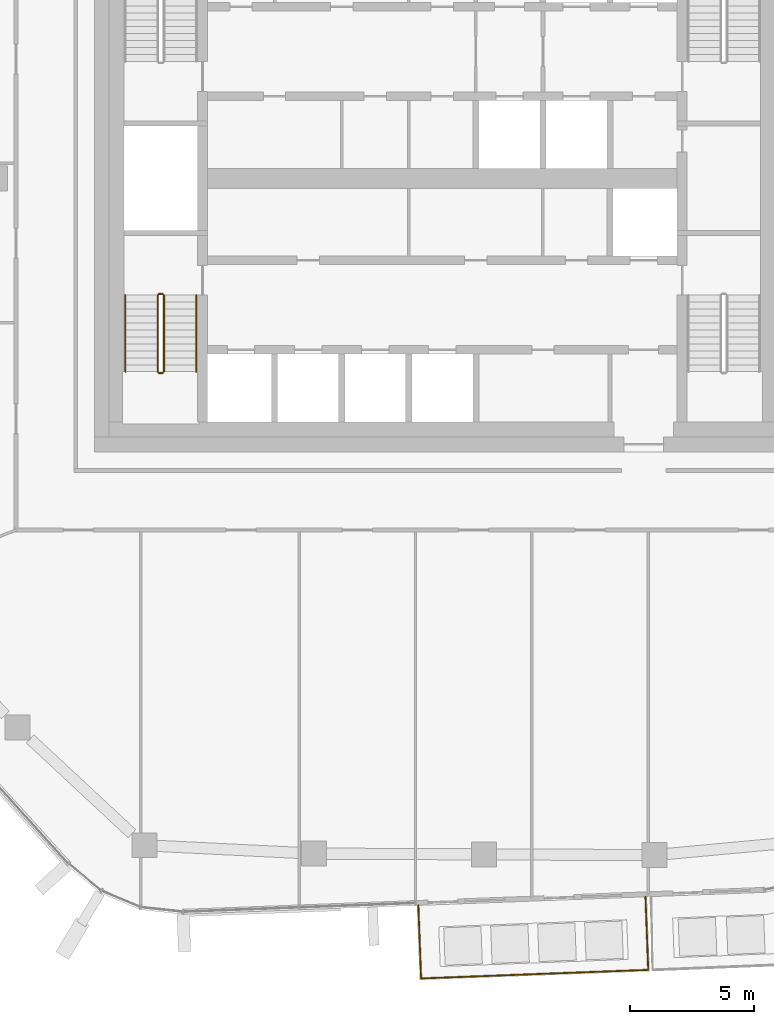
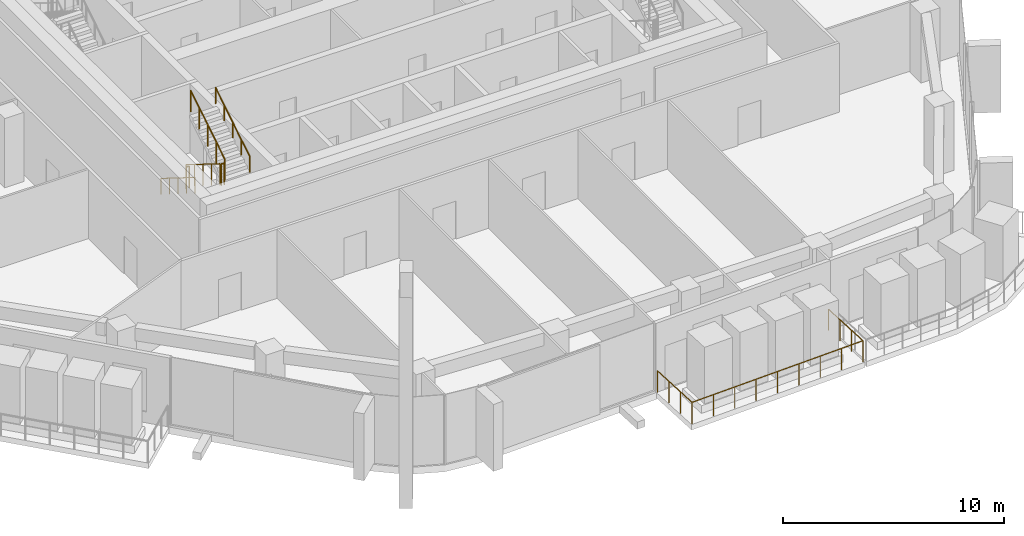
# One storey, part 19 of 24: 7 railings.
"""IFC4 building model written with IfcOpenShell, lengths in metres."""

from ifc_helpers import new_model, si_unit, direction, frame, origin, origin_2d, place, context, subcontext, project, spatial, circle, extrude, material, type_object, element, save


model = new_model("IFC4")

# Units and contexts
model_context = context("Model", 3, precision=1e-05, world=origin(), true_north=direction((0.0, 1.0)))
body_context = subcontext(model_context, "Body", "Model", "MODEL_VIEW")
ifc_project = project(units=[si_unit("LENGTHUNIT", "METRE"), si_unit("AREAUNIT", "SQUARE_METRE"), si_unit("VOLUMEUNIT", "CUBIC_METRE"), si_unit("PLANEANGLEUNIT", "RADIAN"), si_unit("MASSUNIT", "GRAM", prefix="KILO")], contexts=[model_context])

# Site, building, storey
site_placement = place(None, origin())
site = spatial("IfcSite", under=ifc_project, at=site_placement, CompositionType="ELEMENT")
building_placement = place(site_placement, origin())
building = spatial("IfcBuilding", under=site, at=building_placement, Name="Dongbaek Canopy Tower", CompositionType="ELEMENT")
storey_placement = place(building_placement, frame((0.0, 0.0, 306.800048828125)))
storey = spatial("IfcBuildingStorey", under=building, at=storey_placement, Name="L65", CompositionType="ELEMENT", Elevation=306.800048828125)

# Railings
ifc_material_1 = material(Name="Stainless steel", Category="steel")
railing_type_1 = type_object("IfcRailingType", Name="Balcony balustrade 1200", PredefinedType="BALUSTRADE", material=ifc_material_1)
railing_1_placement = place(storey_placement, frame((-0.96533203125, -29.251220703125, 0.0)))
element("IfcRailing", 1, at=railing_1_placement, inside=storey, type_object=railing_type_1, Name="Balcony guard L65 4", PredefinedType="BALUSTRADE", context=body_context, shape_type="SweptSolid", body=[
    extrude(circle(Radius=0.02392578125, at=origin_2d()), frame((0.0, 0.0, 1.17578125), z_axis=(0.037782543052, -0.999285984811, 0.0), x_axis=(0.999285984811, 0.037782543052, 0.0)), (0.0, 0.0, 1.0), 2.940185546875),
    extrude(circle(Radius=0.02392578125, at=origin_2d()), frame((0.111083984375, -2.93798828125, 1.17578125), z_axis=(0.999288287765, 0.03772158449, 0.0), x_axis=(-0.03772158449, 0.999288287765, 0.0)), (0.0, 0.0, 1.0), 9.145263671875),
    extrude(circle(Radius=0.02392578125, at=origin_2d()), frame((9.249755859375, -2.593017578125, 1.17578125), z_axis=(-0.037699622645, 0.999289116549, 0.0), x_axis=(-0.999289116549, -0.037699622645, 0.0)), (0.0, 0.0, 1.0), 2.940185546875),
    extrude(circle(Radius=0.02099609375, at=origin_2d()), origin(), (0.0, 0.0, 1.0), 1.15185546875),
    extrude(circle(Radius=0.02099609375, at=origin_2d()), frame((0.037109375, -0.979248046875, 0.0)), (0.0, 0.0, 1.0), 1.15185546875),
    extrude(circle(Radius=0.02099609375, at=origin_2d()), frame((0.073974609375, -1.958740234375, 0.0)), (0.0, 0.0, 1.0), 1.15185546875),
    extrude(circle(Radius=0.02099609375, at=origin_2d()), frame((0.111083984375, -2.93798828125, 0.0)), (0.0, 0.0, 1.0), 1.15185546875),
    extrude(circle(Radius=0.02099609375, at=origin_2d()), frame((1.25341796875, -2.894775390625, 0.0)), (0.0, 0.0, 1.0), 1.15185546875),
    extrude(circle(Radius=0.02099609375, at=origin_2d()), frame((2.395751953125, -2.851806640625, 0.0)), (0.0, 0.0, 1.0), 1.15185546875),
    extrude(circle(Radius=0.02099609375, at=origin_2d()), frame((3.5380859375, -2.80859375, 0.0)), (0.0, 0.0, 1.0), 1.15185546875),
    extrude(circle(Radius=0.02099609375, at=origin_2d()), frame((4.680419921875, -2.765625, 0.0)), (0.0, 0.0, 1.0), 1.15185546875),
    extrude(circle(Radius=0.02099609375, at=origin_2d()), frame((5.82275390625, -2.722412109375, 0.0)), (0.0, 0.0, 1.0), 1.15185546875),
    extrude(circle(Radius=0.02099609375, at=origin_2d()), frame((6.965087890625, -2.67919921875, 0.0)), (0.0, 0.0, 1.0), 1.15185546875),
    extrude(circle(Radius=0.02099609375, at=origin_2d()), frame((8.107421875, -2.63623046875, 0.0)), (0.0, 0.0, 1.0), 1.15185546875),
    extrude(circle(Radius=0.02099609375, at=origin_2d()), frame((9.249755859375, -2.593017578125, 0.0)), (0.0, 0.0, 1.0), 1.15185546875),
    extrude(circle(Radius=0.02099609375, at=origin_2d()), frame((9.212890625, -1.61376953125, 0.0)), (0.0, 0.0, 1.0), 1.15185546875),
    extrude(circle(Radius=0.02099609375, at=origin_2d()), frame((9.17578125, -0.63427734375, 0.0)), (0.0, 0.0, 1.0), 1.15185546875),
    extrude(circle(Radius=0.02099609375, at=origin_2d()), frame((9.138916015625, 0.344970703125, 0.0)), (0.0, 0.0, 1.0), 1.15185546875),
])
ifc_material_2 = material(Name="Stainless steel tube and balusters", Category="steel")
railing_type_2 = type_object("IfcRailingType", Name="Stair guard 1200", PredefinedType="GUARDRAIL", material=ifc_material_2)
railing_2_placement = place(storey_placement, frame((-11.449951171875, -4.699951171875, 0.175048828125)))
element("IfcRailing", 2, at=railing_2_placement, inside=storey, type_object=railing_type_2, Name="L65 ST-D stair guard 1", PredefinedType="GUARDRAIL", context=body_context, shape_type="SweptSolid", body=[
    extrude(circle(Radius=0.02392578125, at=origin_2d()), frame((0.0, 0.0, 1.17578125), z_axis=(0.0, -0.848028513186, 0.529950602248), x_axis=(1.0, 0.0, 0.0)), (0.0, 0.0, 1.0), 3.632080078125),
    extrude(circle(Radius=0.02099609375, at=origin_2d()), origin(), (0.0, 0.0, 1.0), 1.15185546875),
    extrude(circle(Radius=0.02099609375, at=origin_2d()), frame((0.0, -0.77001953125, 0.481201171875)), (0.0, 0.0, 1.0), 1.15185546875),
    extrude(circle(Radius=0.02099609375, at=origin_2d()), frame((0.0, -1.5400390625, 0.96240234375)), (0.0, 0.0, 1.0), 1.15185546875),
    extrude(circle(Radius=0.02099609375, at=origin_2d()), frame((0.0, -2.31005859375, 1.443603515625)), (0.0, 0.0, 1.0), 1.15185546875),
    extrude(circle(Radius=0.02099609375, at=origin_2d()), frame((0.0, -3.080078125, 1.9248046875)), (0.0, 0.0, 1.0), 1.15185546875),
])
railing_3_placement = place(storey_placement, frame((-11.39990234375, -7.830078125, 2.099853515625)))
element("IfcRailing", 3, at=railing_3_placement, inside=storey, type_object=railing_type_2, Name="L65 ST-D stair guard 2", PredefinedType="GUARDRAIL", context=body_context, shape_type="SweptSolid", body=[
    extrude(circle(Radius=0.02392578125, at=origin_2d()), frame((0.0, 0.0, 1.17578125), z_axis=(1.0, 0.0, 0.0), x_axis=(0.0, 1.0, 0.0)), (0.0, 0.0, 1.0), 0.14990234375),
    extrude(circle(Radius=0.02099609375, at=origin_2d()), origin(), (0.0, 0.0, 1.0), 1.15185546875),
    extrude(circle(Radius=0.02099609375, at=origin_2d()), frame((0.14990234375, 0.0, 0.0)), (0.0, 0.0, 1.0), 1.15185546875),
])
railing_4_placement = place(storey_placement, frame((-11.199951171875, -7.780029296875, 2.27490234375)))
element("IfcRailing", 4, at=railing_4_placement, inside=storey, type_object=railing_type_2, Name="L65 ST-D stair guard 3", PredefinedType="GUARDRAIL", context=body_context, shape_type="SweptSolid", body=[
    extrude(circle(Radius=0.02392578125, at=origin_2d()), frame((0.0, 0.0, 1.17578125), z_axis=(0.0, 0.847998304005, 0.529998940003), x_axis=(-1.0, 0.0, 0.0)), (0.0, 0.0, 1.0), 3.632080078125),
    extrude(circle(Radius=0.02099609375, at=origin_2d()), origin(), (0.0, 0.0, 1.0), 1.15185546875),
    extrude(circle(Radius=0.02099609375, at=origin_2d()), frame((0.0, 0.77001953125, 0.481201171875)), (0.0, 0.0, 1.0), 1.15185546875),
    extrude(circle(Radius=0.02099609375, at=origin_2d()), frame((0.0, 1.5400390625, 0.96240234375)), (0.0, 0.0, 1.0), 1.15185546875),
    extrude(circle(Radius=0.02099609375, at=origin_2d()), frame((0.0, 2.31005859375, 1.44384765625)), (0.0, 0.0, 1.0), 1.15185546875),
    extrude(circle(Radius=0.02099609375, at=origin_2d()), frame((0.0, 3.080078125, 1.925048828125)), (0.0, 0.0, 1.0), 1.15185546875),
])
railing_5_placement = place(storey_placement, frame((-11.39990234375, -4.64990234375, 0.0)))
element("IfcRailing", 5, at=railing_5_placement, inside=storey, type_object=railing_type_2, Name="L65 ST-D stair guard 4", PredefinedType="GUARDRAIL", context=body_context, shape_type="SweptSolid", body=[
    extrude(circle(Radius=0.02392578125, at=origin_2d()), frame((0.0, 0.0, 1.17578125), z_axis=(1.0, 0.0, 0.0), x_axis=(0.0, 1.0, 0.0)), (0.0, 0.0, 1.0), 0.14990234375),
    extrude(circle(Radius=0.02099609375, at=origin_2d()), origin(), (0.0, 0.0, 1.0), 1.15185546875),
    extrude(circle(Radius=0.02099609375, at=origin_2d()), frame((0.14990234375, 0.0, 0.0)), (0.0, 0.0, 1.0), 1.15185546875),
])
ifc_material_3 = material(Name="Stainless steel tube", Category="steel")
railing_type_3 = type_object("IfcRailingType", Name="Stair handrail 900", PredefinedType="HANDRAIL", material=ifc_material_3)
railing_6_placement = place(storey_placement, frame((-12.75, -4.699951171875, 0.175048828125)))
element("IfcRailing", 6, at=railing_6_placement, inside=storey, type_object=railing_type_3, Name="L65 ST-D stair handrail 1", PredefinedType="HANDRAIL", context=body_context, shape_type="SweptSolid", body=[
    extrude(circle(Radius=0.02392578125, at=origin_2d()), frame((0.0, 0.0, 0.8759765625), z_axis=(0.0, -0.848028513186, 0.529950602248), x_axis=(1.0, 0.0, 0.0)), (0.0, 0.0, 1.0), 3.632080078125),
    extrude(circle(Radius=0.02099609375, at=origin_2d()), origin(), (0.0, 0.0, 1.0), 0.851806640625),
    extrude(circle(Radius=0.02099609375, at=origin_2d()), frame((0.0, -0.77001953125, 0.481201171875)), (0.0, 0.0, 1.0), 0.851806640625),
    extrude(circle(Radius=0.02099609375, at=origin_2d()), frame((0.0, -1.5400390625, 0.96240234375)), (0.0, 0.0, 1.0), 0.851806640625),
    extrude(circle(Radius=0.02099609375, at=origin_2d()), frame((0.0, -2.31005859375, 1.443603515625)), (0.0, 0.0, 1.0), 0.851806640625),
    extrude(circle(Radius=0.02099609375, at=origin_2d()), frame((0.0, -3.080078125, 1.9248046875)), (0.0, 0.0, 1.0), 0.851806640625),
])
railing_7_placement = place(storey_placement, frame((-9.89990234375, -7.780029296875, 2.27490234375)))
element("IfcRailing", 7, at=railing_7_placement, inside=storey, type_object=railing_type_3, Name="L65 ST-D stair handrail 2", PredefinedType="HANDRAIL", context=body_context, shape_type="SweptSolid", body=[
    extrude(circle(Radius=0.02392578125, at=origin_2d()), frame((0.0, 0.0, 0.8759765625), z_axis=(0.0, 0.847998304005, 0.529998940003), x_axis=(-1.0, 0.0, 0.0)), (0.0, 0.0, 1.0), 3.632080078125),
    extrude(circle(Radius=0.02099609375, at=origin_2d()), origin(), (0.0, 0.0, 1.0), 0.851806640625),
    extrude(circle(Radius=0.02099609375, at=origin_2d()), frame((0.0, 0.77001953125, 0.481201171875)), (0.0, 0.0, 1.0), 0.851806640625),
    extrude(circle(Radius=0.02099609375, at=origin_2d()), frame((0.0, 1.5400390625, 0.96240234375)), (0.0, 0.0, 1.0), 0.851806640625),
    extrude(circle(Radius=0.02099609375, at=origin_2d()), frame((0.0, 2.31005859375, 1.44384765625)), (0.0, 0.0, 1.0), 0.851806640625),
    extrude(circle(Radius=0.02099609375, at=origin_2d()), frame((0.0, 3.080078125, 1.925048828125)), (0.0, 0.0, 1.0), 0.851806640625),
])

save(model, "model.ifc")
